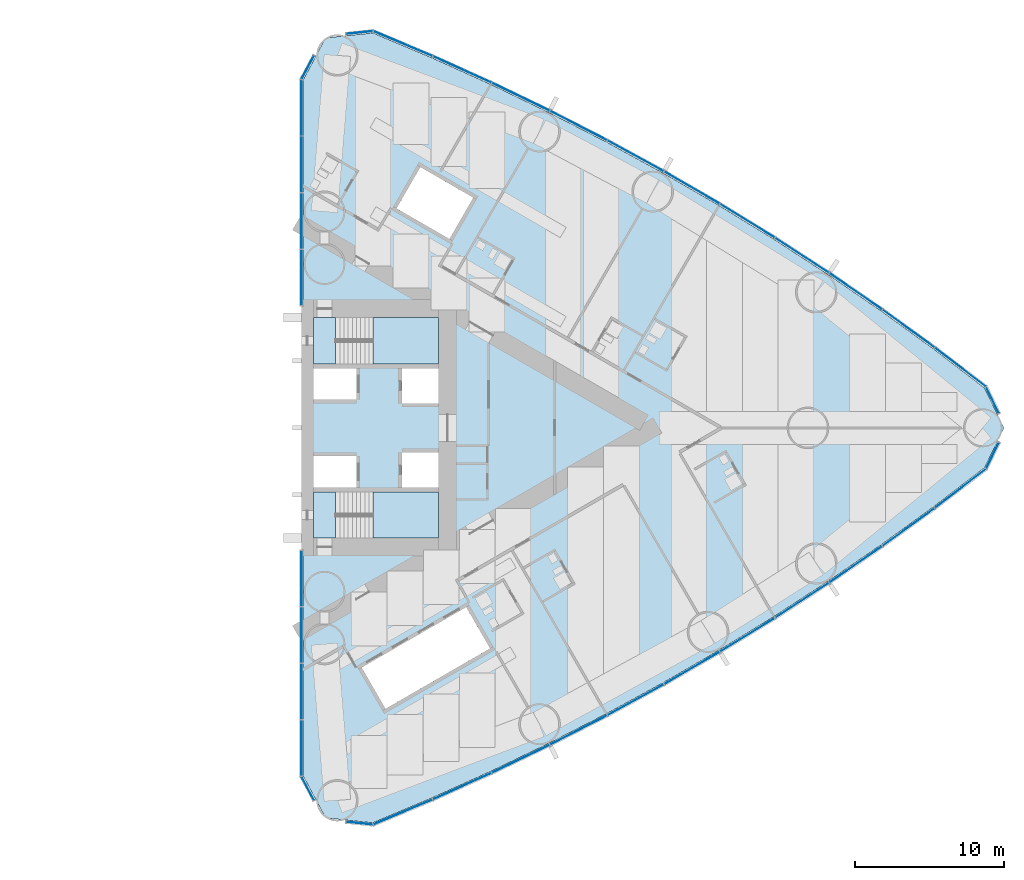
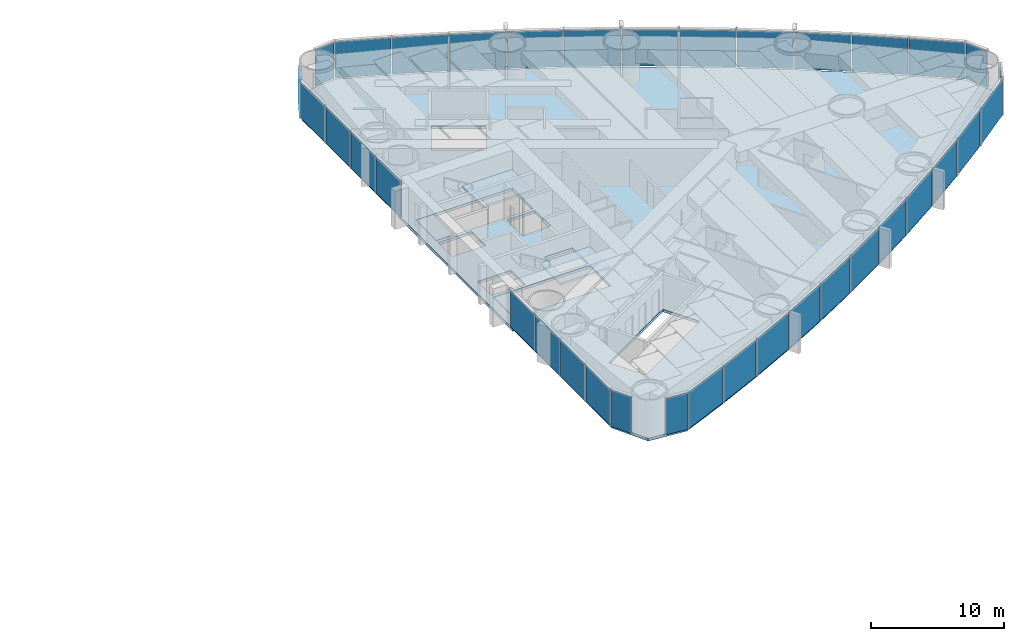
# One storey, part 10 of 19: 36 plates, 5 slabs, 6 elements without a shape of their own.
"""IFC4 building model written with IfcOpenShell, lengths in metres."""

from ifc_helpers import new_model, si_unit, direction, frame, origin, origin_2d, place, context, subcontext, project, spatial, polyline, rectangle, outline, extrude, material, layer, layer_set, type_object, element, aggregate, save


model = new_model("IFC4")

# Units and contexts
model_context = context("Model", 3, precision=1e-05, world=origin(), true_north=direction((0.0, 1.0)))
body_context = subcontext(model_context, "Body", "Model", "MODEL_VIEW")
ifc_project = project(units=[si_unit("LENGTHUNIT", "METRE"), si_unit("AREAUNIT", "SQUARE_METRE"), si_unit("VOLUMEUNIT", "CUBIC_METRE"), si_unit("PLANEANGLEUNIT", "RADIAN"), si_unit("MASSUNIT", "GRAM", prefix="KILO")], contexts=[model_context])

# Site, building, storey
site_placement = place(None, origin())
site = spatial("IfcSite", under=ifc_project, at=site_placement, CompositionType="ELEMENT")
building_placement = place(site_placement, origin())
building = spatial("IfcBuilding", under=site, at=building_placement, Name="Lancet Gate Hotel", CompositionType="ELEMENT")
storey_placement = place(building_placement, frame((0.0, 0.0, 60.0)))
storey = spatial("IfcBuildingStorey", under=building, at=storey_placement, Name="L15", CompositionType="ELEMENT", Elevation=60.0)

# Slab
ifc_material_1 = material(Name="Concrete C50/60", Category="concrete")
ifc_layer_1 = layer(ifc_material_1, 0.25)
ifc_layer_set_1 = layer_set([ifc_layer_1], Name="Floor slab 250")
slab_type_1 = type_object("IfcSlabType", Name="Floor slab 250", PredefinedType="FLOOR", material=ifc_layer_set_1)
slab_1_placement = place(storey_placement, frame((0.0, 0.0, -0.25)))
element("IfcSlab", 1, at=slab_1_placement, inside=storey, type_object=slab_type_1, Name="T2 L15 floor slab", PredefinedType="FLOOR", context=body_context, shape_type="SweptSolid", body=[
    extrude(outline(polyline([(27.5, -8.60009765625), (27.6201171875, -8.60009765625), (27.6201171875, -23.35498046875), (29.12158203125, -26.175537109375), (32.299072265625, -26.5048828125), (36.26708984375, -24.833740234375), (40.2177734375, -23.050048828125), (44.121826171875, -21.16650390625), (47.9765625, -19.18408203125), (51.77978515625, -17.104248046875), (55.528564453125, -14.92822265625), (59.220947265625, -12.657470703125), (62.854248046875, -10.29345703125), (66.42626953125, -7.837890625), (69.934814453125, -5.292236328125), (73.355712890625, -2.67431640625), (74.65576171875, 0.0), (73.355712890625, 2.67431640625), (69.934814453125, 5.292236328125), (66.42626953125, 7.837890625), (62.854248046875, 10.29345703125), (59.220947265625, 12.657470703125), (55.528564453125, 14.92822265625), (51.77978515625, 17.104248046875), (47.9765625, 19.18408203125), (44.121826171875, 21.16650390625), (40.2177734375, 23.050048828125), (36.26708984375, 24.833740234375), (32.299072265625, 26.5048828125), (29.12158203125, 26.175537109375), (27.6201171875, 23.35498046875), (27.6201171875, 8.60009765625), (27.5, 8.60009765625), (27.5, 8.199951171875), (27.5, -8.199951171875), (27.5, -8.60009765625)]), holes=[polyline([(36.699951171875, -7.39990234375), (36.699951171875, -4.300048828125), (28.300048828125, -4.300048828125), (28.300048828125, -7.39990234375), (36.699951171875, -7.39990234375)]), polyline([(28.300048828125, -4.0), (31.199951171875, -4.0), (31.199951171875, -1.89990234375), (28.300048828125, -1.89990234375), (28.300048828125, -4.0)]), polyline([(34.25, -4.0), (36.699951171875, -4.0), (36.699951171875, -1.64990234375), (34.25, -1.64990234375), (34.25, -4.0)]), polyline([(36.699951171875, 1.64990234375), (36.699951171875, 4.0), (34.25, 4.0), (34.25, 1.64990234375), (36.699951171875, 1.64990234375)]), polyline([(28.300048828125, 1.89990234375), (31.199951171875, 1.89990234375), (31.199951171875, 4.0), (28.300048828125, 4.0), (28.300048828125, 1.89990234375)]), polyline([(28.300048828125, 4.300048828125), (36.699951171875, 4.300048828125), (36.699951171875, 7.39990234375), (28.300048828125, 7.39990234375), (28.300048828125, 4.300048828125)]), polyline([(31.549072265625, -16.0810546875), (33.14892578125, -18.85205078125), (40.1640625, -14.802001953125), (38.56396484375, -12.031005859375), (31.549072265625, -16.0810546875)]), polyline([(33.887939453125, 14.73095703125), (37.43798828125, 12.680908203125), (39.0380859375, 15.451904296875), (35.488037109375, 17.501953125), (33.887939453125, 14.73095703125)])]), origin(), (0.0, 0.0, 1.0), 0.25),
])

# Stair, slabs
ifc_material_2 = material(Name="Exit stair 20 risers 1500")
stair_type = type_object("IfcStairType", Name="Exit stair 20 risers 1500", PredefinedType="HALF_TURN_STAIR", material=ifc_material_2)
stair_1_placement = place(storey_placement, origin())
stair_1 = element("IfcStair", 2, at=stair_1_placement, inside=storey, type_object=stair_type, Name="T2 stair 1 L15", PredefinedType="HALF_TURN_STAIR")
ifc_material_3 = material(Name="Concrete C40/50", Category="concrete")
ifc_layer_2 = layer(ifc_material_3, 0.199951171875)
ifc_layer_set_2 = layer_set([ifc_layer_2], Name="Stair landing 200")
slab_type_2 = type_object("IfcSlabType", Name="Stair landing 200", PredefinedType="LANDING", material=ifc_layer_set_2)
slab_2_placement = place(storey_placement, frame((0.0, 0.0, -0.199951171875)))
slab_2 = element("IfcSlab", 3, at=slab_2_placement, type_object=slab_type_2, Name="ST3 landing 1", PredefinedType="LANDING", context=body_context, shape_type="SweptSolid", body=[
    extrude(outline(polyline([(28.300048828125, -7.39990234375), (29.800048828125, -7.39990234375), (29.800048828125, -4.300048828125), (28.300048828125, -4.300048828125), (28.300048828125, -7.39990234375)])), origin(), (0.0, 0.0, 1.0), 0.199951171875),
])
slab_3_placement = place(storey_placement, frame((0.0, 0.0, 1.550048828125)))
slab_3 = element("IfcSlab", 4, at=slab_3_placement, type_object=slab_type_2, Name="ST3 landing 2", PredefinedType="LANDING", context=body_context, shape_type="SweptSolid", body=[
    extrude(outline(polyline([(32.320068359375, -7.39990234375), (36.699951171875, -7.39990234375), (36.699951171875, -4.300048828125), (32.320068359375, -4.300048828125), (32.320068359375, -7.39990234375)])), origin(), (0.0, 0.0, 1.0), 0.199951171875),
])
aggregate(stair_1, [slab_2, slab_3])

stair_2_placement = place(storey_placement, origin())
stair_2 = element("IfcStair", 5, at=stair_2_placement, inside=storey, type_object=stair_type, Name="T2 stair 2 L15", PredefinedType="HALF_TURN_STAIR")
slab_4_placement = place(storey_placement, frame((0.0, 0.0, -0.199951171875)))
slab_4 = element("IfcSlab", 6, at=slab_4_placement, type_object=slab_type_2, Name="ST4 landing 1", PredefinedType="LANDING", context=body_context, shape_type="SweptSolid", body=[
    extrude(outline(polyline([(28.300048828125, 4.300048828125), (29.800048828125, 4.300048828125), (29.800048828125, 7.39990234375), (28.300048828125, 7.39990234375), (28.300048828125, 4.300048828125)])), origin(), (0.0, 0.0, 1.0), 0.199951171875),
])
slab_5_placement = place(storey_placement, frame((0.0, 0.0, 1.550048828125)))
slab_5 = element("IfcSlab", 7, at=slab_5_placement, type_object=slab_type_2, Name="ST4 landing 2", PredefinedType="LANDING", context=body_context, shape_type="SweptSolid", body=[
    extrude(outline(polyline([(32.320068359375, 4.300048828125), (36.699951171875, 4.300048828125), (36.699951171875, 7.39990234375), (32.320068359375, 7.39990234375), (32.320068359375, 4.300048828125)])), origin(), (0.0, 0.0, 1.0), 0.199951171875),
])
aggregate(stair_2, [slab_4, slab_5])

# Curtain wall, plates
ifc_material_4 = material(Name="Aluminium curtain wall", Category="aluminium")
curtain_wall_type = type_object("IfcCurtainWallType", Name="Tower unitised curtain wall", PredefinedType="USERDEFINED", material=ifc_material_4)
curtain_wall_1_placement = place(storey_placement, origin())
curtain_wall_1 = element("IfcCurtainWall", 8, at=curtain_wall_1_placement, inside=storey, type_object=curtain_wall_type, Name="T2 L15 curtain wall 1", ObjectType="UNITISED CURTAIN WALL", PredefinedType="USERDEFINED")
ifc_material_5 = material(Name="Glass double glazed unit 8-16-6", Category="glass")
ifc_layer_3 = layer(ifc_material_5, 0.030029296875)
ifc_layer_set_3 = layer_set([ifc_layer_3], Name="Vision panel double glazed")
plate_type = type_object("IfcPlateType", Name="Vision panel double glazed", PredefinedType="CURTAIN_PANEL", material=ifc_layer_set_3)
plate_1_placement = place(storey_placement, frame((27.5, -10.09814453125, 0.0), z_axis=(0.0, 0.0, 1.0), x_axis=(0.0, -1.0, 0.0)))
plate_1 = element("IfcPlate", 9, at=plate_1_placement, type_object=plate_type, Name="T2 L15 curtain wall 1 panel 1", PredefinedType="CURTAIN_PANEL", context=body_context, shape_type="SweptSolid", body=[
    extrude(rectangle(XDim=3.731201171875, YDim=0.030029296875, at=origin_2d()), origin(), (0.0, 0.0, 1.0), 3.35009765625),
])
plate_2_placement = place(storey_placement, frame((27.5, -13.894287109375, 0.0), z_axis=(0.0, 0.0, 1.0), x_axis=(0.0, -1.0, 0.0)))
plate_2 = element("IfcPlate", 10, at=plate_2_placement, type_object=plate_type, Name="T2 L15 curtain wall 1 panel 2", PredefinedType="CURTAIN_PANEL", context=body_context, shape_type="SweptSolid", body=[
    extrude(rectangle(XDim=3.731201171875, YDim=0.030029296875, at=origin_2d()), origin(), (0.0, 0.0, 1.0), 3.35009765625),
])
plate_3_placement = place(storey_placement, frame((27.5, -17.6904296875, 0.0), z_axis=(0.0, 0.0, 1.0), x_axis=(0.0, -1.0, 0.0)))
plate_3 = element("IfcPlate", 11, at=plate_3_placement, type_object=plate_type, Name="T2 L15 curtain wall 1 panel 3", PredefinedType="CURTAIN_PANEL", context=body_context, shape_type="SweptSolid", body=[
    extrude(rectangle(XDim=3.731201171875, YDim=0.030029296875, at=origin_2d()), origin(), (0.0, 0.0, 1.0), 3.35009765625),
])
plate_4_placement = place(storey_placement, frame((27.5, -21.48681640625, 0.0), z_axis=(0.0, 0.0, 1.0), x_axis=(0.0, -1.0, 0.0)))
plate_4 = element("IfcPlate", 12, at=plate_4_placement, type_object=plate_type, Name="T2 L15 curtain wall 1 panel 4", PredefinedType="CURTAIN_PANEL", context=body_context, shape_type="SweptSolid", body=[
    extrude(rectangle(XDim=3.731201171875, YDim=0.030029296875, at=origin_2d()), origin(), (0.0, 0.0, 1.0), 3.35009765625),
])
plate_5_placement = place(storey_placement, frame((27.933349609375, -24.19873046875, 0.0), z_axis=(0.0, 0.0, 1.0), x_axis=(0.469897827284, -0.882720811987, 0.0)))
plate_5 = element("IfcPlate", 13, at=plate_5_placement, type_object=plate_type, Name="T2 L15 curtain wall 1 panel 5", PredefinedType="CURTAIN_PANEL", context=body_context, shape_type="SweptSolid", body=[
    extrude(rectangle(XDim=1.779052734375, YDim=0.030029296875, at=origin_2d()), origin(), (0.0, 0.0, 1.0), 3.35009765625),
])
aggregate(curtain_wall_1, [plate_1, plate_2, plate_3, plate_4, plate_5])

curtain_wall_2_placement = place(storey_placement, origin())
curtain_wall_2 = element("IfcCurtainWall", 14, at=curtain_wall_2_placement, inside=storey, type_object=curtain_wall_type, Name="T2 L15 curtain wall 2", ObjectType="UNITISED CURTAIN WALL", PredefinedType="USERDEFINED")
plate_6_placement = place(storey_placement, frame((31.400634765625, -26.532470703125, 0.0), z_axis=(0.0, 0.0, 1.0), x_axis=(0.994672262412, -0.10308778001, 0.0)))
plate_6 = element("IfcPlate", 15, at=plate_6_placement, type_object=plate_type, Name="T2 L15 curtain wall 2 panel 1", PredefinedType="CURTAIN_PANEL", context=body_context, shape_type="SweptSolid", body=[
    extrude(rectangle(XDim=1.7783203125, YDim=0.030029296875, at=origin_2d()), origin(), (0.0, 0.0, 1.0), 3.35009765625),
])
plate_7_placement = place(storey_placement, frame((34.316162109375, -25.78564453125, 0.0), z_axis=(0.0, 0.0, 1.0), x_axis=(0.92159330598, 0.38815689917, 0.0)))
plate_7 = element("IfcPlate", 16, at=plate_7_placement, type_object=plate_type, Name="T2 L15 curtain wall 2 panel 2", PredefinedType="CURTAIN_PANEL", context=body_context, shape_type="SweptSolid", body=[
    extrude(rectangle(XDim=4.272705078125, YDim=0.030029296875, at=origin_2d()), origin(), (0.0, 0.0, 1.0), 3.35009765625),
])
plate_8_placement = place(storey_placement, frame((38.291748046875, -24.05126953125, 0.0), z_axis=(0.0, 0.0, 1.0), x_axis=(0.911415640556, 0.41148697446, 0.0)))
plate_8 = element("IfcPlate", 17, at=plate_8_placement, type_object=plate_type, Name="T2 L15 curtain wall 2 panel 3", PredefinedType="CURTAIN_PANEL", context=body_context, shape_type="SweptSolid", body=[
    extrude(rectangle(XDim=4.272705078125, YDim=0.030029296875, at=origin_2d()), origin(), (0.0, 0.0, 1.0), 3.35009765625),
])
plate_9_placement = place(storey_placement, frame((42.221923828125, -22.21630859375, 0.0), z_axis=(0.0, 0.0, 1.0), x_axis=(0.90064748964, 0.434550456686, 0.0)))
plate_9 = element("IfcPlate", 18, at=plate_9_placement, type_object=plate_type, Name="T2 L15 curtain wall 2 panel 4", PredefinedType="CURTAIN_PANEL", context=body_context, shape_type="SweptSolid", body=[
    extrude(rectangle(XDim=4.272705078125, YDim=0.030029296875, at=origin_2d()), origin(), (0.0, 0.0, 1.0), 3.35009765625),
])
plate_10_placement = place(storey_placement, frame((46.10400390625, -20.281982421875, 0.0), z_axis=(0.0, 0.0, 1.0), x_axis=(0.889295829671, 0.457332403541, 0.0)))
plate_10 = element("IfcPlate", 19, at=plate_10_placement, type_object=plate_type, Name="T2 L15 curtain wall 2 panel 5", PredefinedType="CURTAIN_PANEL", context=body_context, shape_type="SweptSolid", body=[
    extrude(rectangle(XDim=4.272705078125, YDim=0.030029296875, at=origin_2d()), origin(), (0.0, 0.0, 1.0), 3.35009765625),
])
plate_11_placement = place(storey_placement, frame((49.935791015625, -18.249267578125, 0.0), z_axis=(0.0, 0.0, 1.0), x_axis=(0.877368015134, 0.47981805512, 0.0)))
plate_11 = element("IfcPlate", 20, at=plate_11_placement, type_object=plate_type, Name="T2 L15 curtain wall 2 panel 6", PredefinedType="CURTAIN_PANEL", context=body_context, shape_type="SweptSolid", body=[
    extrude(rectangle(XDim=4.272705078125, YDim=0.030029296875, at=origin_2d()), origin(), (0.0, 0.0, 1.0), 3.35009765625),
])
plate_12_placement = place(storey_placement, frame((53.71435546875, -16.119873046875, 0.0), z_axis=(0.0, 0.0, 1.0), x_axis=(0.864871773788, 0.501992843479, 0.0)))
plate_12 = element("IfcPlate", 21, at=plate_12_placement, type_object=plate_type, Name="T2 L15 curtain wall 2 panel 7", PredefinedType="CURTAIN_PANEL", context=body_context, shape_type="SweptSolid", body=[
    extrude(rectangle(XDim=4.272705078125, YDim=0.030029296875, at=origin_2d()), origin(), (0.0, 0.0, 1.0), 3.35009765625),
])
plate_13_placement = place(storey_placement, frame((57.437744140625, -13.89501953125, 0.0), z_axis=(0.0, 0.0, 1.0), x_axis=(0.851815201664, 0.523842402077, 0.0)))
plate_13 = element("IfcPlate", 22, at=plate_13_placement, type_object=plate_type, Name="T2 L15 curtain wall 2 panel 8", PredefinedType="CURTAIN_PANEL", context=body_context, shape_type="SweptSolid", body=[
    extrude(rectangle(XDim=4.272705078125, YDim=0.030029296875, at=origin_2d()), origin(), (0.0, 0.0, 1.0), 3.35009765625),
])
plate_14_placement = place(storey_placement, frame((61.10302734375, -11.576171875, 0.0), z_axis=(0.0, 0.0, 1.0), x_axis=(0.838206757819, 0.54535257508, 0.0)))
plate_14 = element("IfcPlate", 23, at=plate_14_placement, type_object=plate_type, Name="T2 L15 curtain wall 2 panel 9", PredefinedType="CURTAIN_PANEL", context=body_context, shape_type="SweptSolid", body=[
    extrude(rectangle(XDim=4.272705078125, YDim=0.030029296875, at=origin_2d()), origin(), (0.0, 0.0, 1.0), 3.35009765625),
])
plate_15_placement = place(storey_placement, frame((64.708251953125, -9.16455078125, 0.0), z_axis=(0.0, 0.0, 1.0), x_axis=(0.824055258853, 0.566509426538, 0.0)))
plate_15 = element("IfcPlate", 24, at=plate_15_placement, type_object=plate_type, Name="T2 L15 curtain wall 2 panel 10", PredefinedType="CURTAIN_PANEL", context=body_context, shape_type="SweptSolid", body=[
    extrude(rectangle(XDim=4.272705078125, YDim=0.030029296875, at=origin_2d()), origin(), (0.0, 0.0, 1.0), 3.35009765625),
])
plate_16_placement = place(storey_placement, frame((68.2509765625, -6.662109375, 0.0), z_axis=(0.0, 0.0, 1.0), x_axis=(0.809369873203, 0.587299249405, 0.0)))
plate_16 = element("IfcPlate", 25, at=plate_16_placement, type_object=plate_type, Name="T2 L15 curtain wall 2 panel 11", PredefinedType="CURTAIN_PANEL", context=body_context, shape_type="SweptSolid", body=[
    extrude(rectangle(XDim=4.272705078125, YDim=0.030029296875, at=origin_2d()), origin(), (0.0, 0.0, 1.0), 3.35009765625),
])
plate_17_placement = place(storey_placement, frame((71.72900390625, -4.0703125, 0.0), z_axis=(0.0, 0.0, 1.0), x_axis=(0.794160115195, 0.607708574428, 0.0)))
plate_17 = element("IfcPlate", 26, at=plate_17_placement, type_object=plate_type, Name="T2 L15 curtain wall 2 panel 12", PredefinedType="CURTAIN_PANEL", context=body_context, shape_type="SweptSolid", body=[
    extrude(rectangle(XDim=4.272705078125, YDim=0.030029296875, at=origin_2d()), origin(), (0.0, 0.0, 1.0), 3.35009765625),
])
plate_18_placement = place(storey_placement, frame((73.88671875, -1.856201171875, 0.0), z_axis=(0.0, 0.0, 1.0), x_axis=(0.437169070119, 0.899379343843, 0.0)))
plate_18 = element("IfcPlate", 27, at=plate_18_placement, type_object=plate_type, Name="T2 L15 curtain wall 2 panel 13", PredefinedType="CURTAIN_PANEL", context=body_context, shape_type="SweptSolid", body=[
    extrude(rectangle(XDim=1.92724609375, YDim=0.030029296875, at=origin_2d()), origin(), (0.0, 0.0, 1.0), 3.35009765625),
])
aggregate(curtain_wall_2, [plate_6, plate_7, plate_8, plate_9, plate_10, plate_11, plate_12, plate_13, plate_14, plate_15, plate_16, plate_17, plate_18])

curtain_wall_3_placement = place(storey_placement, origin())
curtain_wall_3 = element("IfcCurtainWall", 28, at=curtain_wall_3_placement, inside=storey, type_object=curtain_wall_type, Name="T2 L15 curtain wall 3", ObjectType="UNITISED CURTAIN WALL", PredefinedType="USERDEFINED")
plate_19_placement = place(storey_placement, frame((73.88671875, 1.856201171875, 0.0), z_axis=(0.0, 0.0, 1.0), x_axis=(-0.437169070119, 0.899379343843, 0.0)))
plate_19 = element("IfcPlate", 29, at=plate_19_placement, type_object=plate_type, Name="T2 L15 curtain wall 3 panel 1", PredefinedType="CURTAIN_PANEL", context=body_context, shape_type="SweptSolid", body=[
    extrude(rectangle(XDim=1.92724609375, YDim=0.030029296875, at=origin_2d()), origin(), (0.0, 0.0, 1.0), 3.35009765625),
])
plate_20_placement = place(storey_placement, frame((71.72900390625, 4.0703125, 0.0), z_axis=(0.0, 0.0, 1.0), x_axis=(-0.794160115195, 0.607708574428, 0.0)))
plate_20 = element("IfcPlate", 30, at=plate_20_placement, type_object=plate_type, Name="T2 L15 curtain wall 3 panel 2", PredefinedType="CURTAIN_PANEL", context=body_context, shape_type="SweptSolid", body=[
    extrude(rectangle(XDim=4.272705078125, YDim=0.030029296875, at=origin_2d()), origin(), (0.0, 0.0, 1.0), 3.35009765625),
])
plate_21_placement = place(storey_placement, frame((68.2509765625, 6.662109375, 0.0), z_axis=(0.0, 0.0, 1.0), x_axis=(-0.809369873203, 0.587299249405, 0.0)))
plate_21 = element("IfcPlate", 31, at=plate_21_placement, type_object=plate_type, Name="T2 L15 curtain wall 3 panel 3", PredefinedType="CURTAIN_PANEL", context=body_context, shape_type="SweptSolid", body=[
    extrude(rectangle(XDim=4.272705078125, YDim=0.030029296875, at=origin_2d()), origin(), (0.0, 0.0, 1.0), 3.35009765625),
])
plate_22_placement = place(storey_placement, frame((64.708251953125, 9.16455078125, 0.0), z_axis=(0.0, 0.0, 1.0), x_axis=(-0.824055258853, 0.566509426538, 0.0)))
plate_22 = element("IfcPlate", 32, at=plate_22_placement, type_object=plate_type, Name="T2 L15 curtain wall 3 panel 4", PredefinedType="CURTAIN_PANEL", context=body_context, shape_type="SweptSolid", body=[
    extrude(rectangle(XDim=4.272705078125, YDim=0.030029296875, at=origin_2d()), origin(), (0.0, 0.0, 1.0), 3.35009765625),
])
plate_23_placement = place(storey_placement, frame((61.10302734375, 11.576171875, 0.0), z_axis=(0.0, 0.0, 1.0), x_axis=(-0.838206757819, 0.54535257508, 0.0)))
plate_23 = element("IfcPlate", 33, at=plate_23_placement, type_object=plate_type, Name="T2 L15 curtain wall 3 panel 5", PredefinedType="CURTAIN_PANEL", context=body_context, shape_type="SweptSolid", body=[
    extrude(rectangle(XDim=4.272705078125, YDim=0.030029296875, at=origin_2d()), origin(), (0.0, 0.0, 1.0), 3.35009765625),
])
plate_24_placement = place(storey_placement, frame((57.437744140625, 13.89501953125, 0.0), z_axis=(0.0, 0.0, 1.0), x_axis=(-0.851815201664, 0.523842402077, 0.0)))
plate_24 = element("IfcPlate", 34, at=plate_24_placement, type_object=plate_type, Name="T2 L15 curtain wall 3 panel 6", PredefinedType="CURTAIN_PANEL", context=body_context, shape_type="SweptSolid", body=[
    extrude(rectangle(XDim=4.272705078125, YDim=0.030029296875, at=origin_2d()), origin(), (0.0, 0.0, 1.0), 3.35009765625),
])
plate_25_placement = place(storey_placement, frame((53.71435546875, 16.119873046875, 0.0), z_axis=(0.0, 0.0, 1.0), x_axis=(-0.864871773788, 0.501992843479, 0.0)))
plate_25 = element("IfcPlate", 35, at=plate_25_placement, type_object=plate_type, Name="T2 L15 curtain wall 3 panel 7", PredefinedType="CURTAIN_PANEL", context=body_context, shape_type="SweptSolid", body=[
    extrude(rectangle(XDim=4.272705078125, YDim=0.030029296875, at=origin_2d()), origin(), (0.0, 0.0, 1.0), 3.35009765625),
])
plate_26_placement = place(storey_placement, frame((49.935791015625, 18.249267578125, 0.0), z_axis=(0.0, 0.0, 1.0), x_axis=(-0.877368015134, 0.47981805512, 0.0)))
plate_26 = element("IfcPlate", 36, at=plate_26_placement, type_object=plate_type, Name="T2 L15 curtain wall 3 panel 8", PredefinedType="CURTAIN_PANEL", context=body_context, shape_type="SweptSolid", body=[
    extrude(rectangle(XDim=4.272705078125, YDim=0.030029296875, at=origin_2d()), origin(), (0.0, 0.0, 1.0), 3.35009765625),
])
plate_27_placement = place(storey_placement, frame((46.10400390625, 20.281982421875, 0.0), z_axis=(0.0, 0.0, 1.0), x_axis=(-0.889295829671, 0.457332403541, 0.0)))
plate_27 = element("IfcPlate", 37, at=plate_27_placement, type_object=plate_type, Name="T2 L15 curtain wall 3 panel 9", PredefinedType="CURTAIN_PANEL", context=body_context, shape_type="SweptSolid", body=[
    extrude(rectangle(XDim=4.272705078125, YDim=0.030029296875, at=origin_2d()), origin(), (0.0, 0.0, 1.0), 3.35009765625),
])
plate_28_placement = place(storey_placement, frame((42.221923828125, 22.21630859375, 0.0), z_axis=(0.0, 0.0, 1.0), x_axis=(-0.90064748964, 0.434550456686, 0.0)))
plate_28 = element("IfcPlate", 38, at=plate_28_placement, type_object=plate_type, Name="T2 L15 curtain wall 3 panel 10", PredefinedType="CURTAIN_PANEL", context=body_context, shape_type="SweptSolid", body=[
    extrude(rectangle(XDim=4.272705078125, YDim=0.030029296875, at=origin_2d()), origin(), (0.0, 0.0, 1.0), 3.35009765625),
])
plate_29_placement = place(storey_placement, frame((38.291748046875, 24.05126953125, 0.0), z_axis=(0.0, 0.0, 1.0), x_axis=(-0.911415640556, 0.41148697446, 0.0)))
plate_29 = element("IfcPlate", 39, at=plate_29_placement, type_object=plate_type, Name="T2 L15 curtain wall 3 panel 11", PredefinedType="CURTAIN_PANEL", context=body_context, shape_type="SweptSolid", body=[
    extrude(rectangle(XDim=4.272705078125, YDim=0.030029296875, at=origin_2d()), origin(), (0.0, 0.0, 1.0), 3.35009765625),
])
plate_30_placement = place(storey_placement, frame((34.316162109375, 25.78564453125, 0.0), z_axis=(0.0, 0.0, 1.0), x_axis=(-0.92159330598, 0.38815689917, 0.0)))
plate_30 = element("IfcPlate", 40, at=plate_30_placement, type_object=plate_type, Name="T2 L15 curtain wall 3 panel 12", PredefinedType="CURTAIN_PANEL", context=body_context, shape_type="SweptSolid", body=[
    extrude(rectangle(XDim=4.272705078125, YDim=0.030029296875, at=origin_2d()), origin(), (0.0, 0.0, 1.0), 3.35009765625),
])
plate_31_placement = place(storey_placement, frame((31.400634765625, 26.532470703125, 0.0), z_axis=(0.0, 0.0, 1.0), x_axis=(-0.994672262412, -0.10308778001, 0.0)))
plate_31 = element("IfcPlate", 41, at=plate_31_placement, type_object=plate_type, Name="T2 L15 curtain wall 3 panel 13", PredefinedType="CURTAIN_PANEL", context=body_context, shape_type="SweptSolid", body=[
    extrude(rectangle(XDim=1.7783203125, YDim=0.030029296875, at=origin_2d()), origin(), (0.0, 0.0, 1.0), 3.35009765625),
])
aggregate(curtain_wall_3, [plate_19, plate_20, plate_21, plate_22, plate_23, plate_24, plate_25, plate_26, plate_27, plate_28, plate_29, plate_30, plate_31])

curtain_wall_4_placement = place(storey_placement, origin())
curtain_wall_4 = element("IfcCurtainWall", 42, at=curtain_wall_4_placement, inside=storey, type_object=curtain_wall_type, Name="T2 L15 curtain wall 4", ObjectType="UNITISED CURTAIN WALL", PredefinedType="USERDEFINED")
plate_32_placement = place(storey_placement, frame((27.933349609375, 24.19873046875, 0.0), z_axis=(0.0, 0.0, 1.0), x_axis=(-0.469897827284, -0.882720811987, 0.0)))
plate_32 = element("IfcPlate", 43, at=plate_32_placement, type_object=plate_type, Name="T2 L15 curtain wall 4 panel 1", PredefinedType="CURTAIN_PANEL", context=body_context, shape_type="SweptSolid", body=[
    extrude(rectangle(XDim=1.779052734375, YDim=0.030029296875, at=origin_2d()), origin(), (0.0, 0.0, 1.0), 3.35009765625),
])
plate_33_placement = place(storey_placement, frame((27.5, 21.48681640625, 0.0), z_axis=(0.0, 0.0, 1.0), x_axis=(0.0, -1.0, 0.0)))
plate_33 = element("IfcPlate", 44, at=plate_33_placement, type_object=plate_type, Name="T2 L15 curtain wall 4 panel 2", PredefinedType="CURTAIN_PANEL", context=body_context, shape_type="SweptSolid", body=[
    extrude(rectangle(XDim=3.731201171875, YDim=0.030029296875, at=origin_2d()), origin(), (0.0, 0.0, 1.0), 3.35009765625),
])
plate_34_placement = place(storey_placement, frame((27.5, 17.6904296875, 0.0), z_axis=(0.0, 0.0, 1.0), x_axis=(0.0, -1.0, 0.0)))
plate_34 = element("IfcPlate", 45, at=plate_34_placement, type_object=plate_type, Name="T2 L15 curtain wall 4 panel 3", PredefinedType="CURTAIN_PANEL", context=body_context, shape_type="SweptSolid", body=[
    extrude(rectangle(XDim=3.731201171875, YDim=0.030029296875, at=origin_2d()), origin(), (0.0, 0.0, 1.0), 3.35009765625),
])
plate_35_placement = place(storey_placement, frame((27.5, 13.894287109375, 0.0), z_axis=(0.0, 0.0, 1.0), x_axis=(0.0, -1.0, 0.0)))
plate_35 = element("IfcPlate", 46, at=plate_35_placement, type_object=plate_type, Name="T2 L15 curtain wall 4 panel 4", PredefinedType="CURTAIN_PANEL", context=body_context, shape_type="SweptSolid", body=[
    extrude(rectangle(XDim=3.731201171875, YDim=0.030029296875, at=origin_2d()), origin(), (0.0, 0.0, 1.0), 3.35009765625),
])
plate_36_placement = place(storey_placement, frame((27.5, 10.09814453125, 0.0), z_axis=(0.0, 0.0, 1.0), x_axis=(0.0, -1.0, 0.0)))
plate_36 = element("IfcPlate", 47, at=plate_36_placement, type_object=plate_type, Name="T2 L15 curtain wall 4 panel 5", PredefinedType="CURTAIN_PANEL", context=body_context, shape_type="SweptSolid", body=[
    extrude(rectangle(XDim=3.731201171875, YDim=0.030029296875, at=origin_2d()), origin(), (0.0, 0.0, 1.0), 3.35009765625),
])
aggregate(curtain_wall_4, [plate_32, plate_33, plate_34, plate_35, plate_36])

save(model, "model.ifc")
